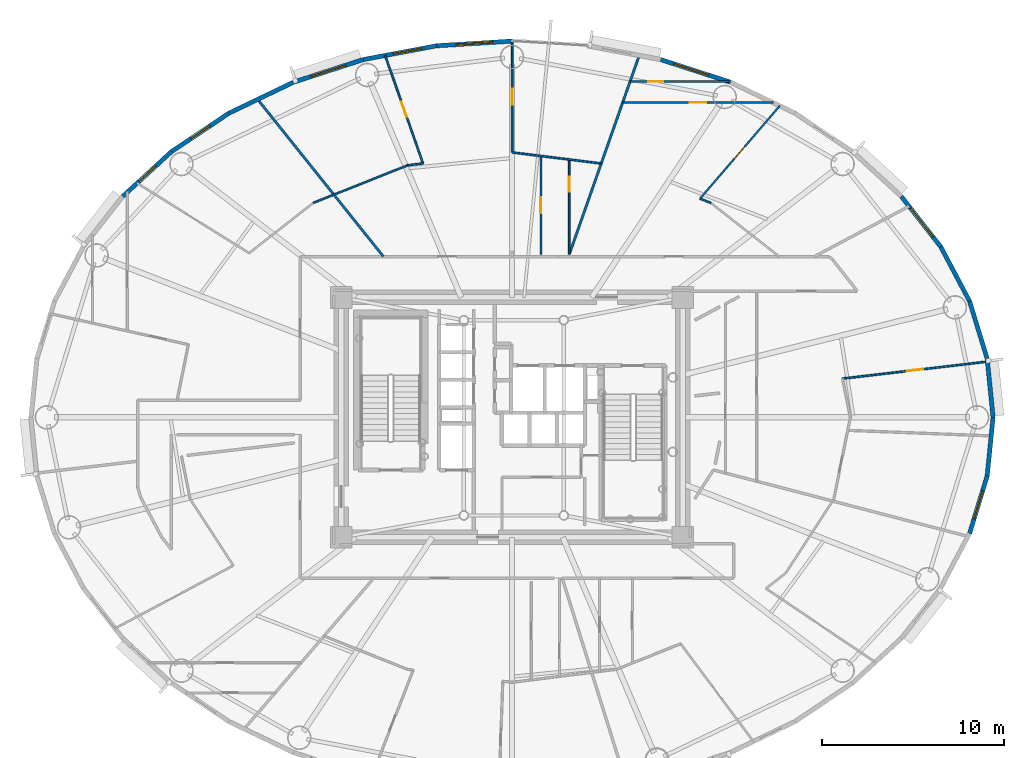
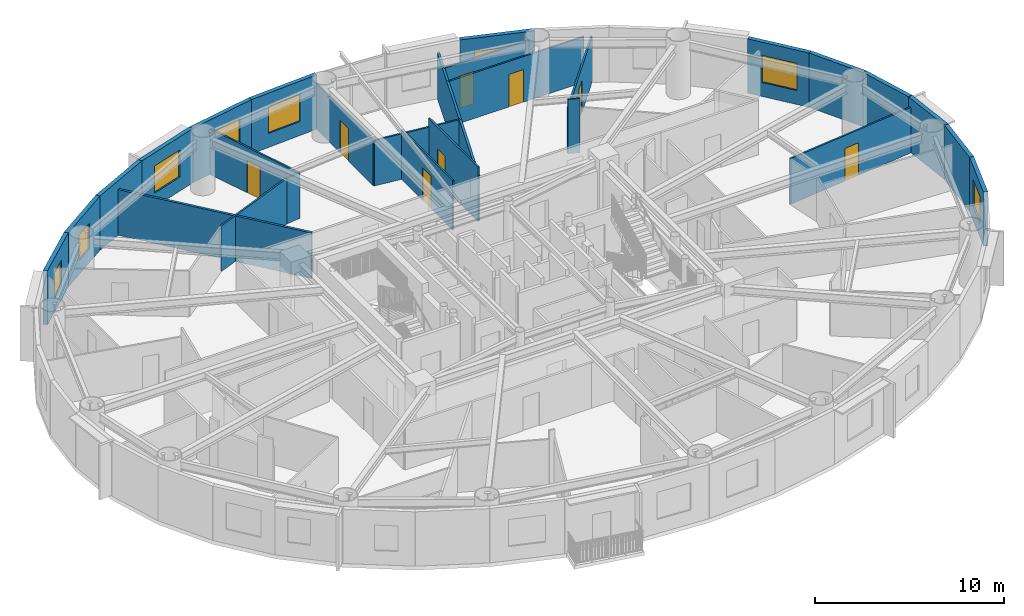
# One storey, part 10 of 17: 27 walls, 8 doors, 8 windows, 16 openings.
"""IFC4 building model written with IfcOpenShell, lengths in metres."""

from ifc_helpers import new_model, si_unit, direction, frame, frame_2d, origin, origin_2d, place, context, subcontext, project, spatial, rectangle, extrude, source, transform, mapped, material, layer, layer_set, type_object, element, fill, save


model = new_model("IFC4")

# Units and contexts
model_context = context("Model", 3, precision=1e-05, world=origin(), true_north=direction((0.0, 1.0)))
body_context = subcontext(model_context, "Body", "Model", "MODEL_VIEW")
ifc_project = project(units=[si_unit("LENGTHUNIT", "METRE"), si_unit("AREAUNIT", "SQUARE_METRE"), si_unit("VOLUMEUNIT", "CUBIC_METRE"), si_unit("PLANEANGLEUNIT", "RADIAN"), si_unit("MASSUNIT", "GRAM", prefix="KILO")], contexts=[model_context])

# Site, building, storey
site_placement = place(None, origin())
site = spatial("IfcSite", under=ifc_project, at=site_placement, CompositionType="ELEMENT")
building_placement = place(site_placement, origin())
building = spatial("IfcBuilding", under=site, at=building_placement, Name="Linh Dai School and Residence Tower", CompositionType="ELEMENT")
storey_placement = place(building_placement, frame((0.0, 0.0, 182.39990234375)))
storey = spatial("IfcBuildingStorey", under=building, at=storey_placement, Name="L44", CompositionType="ELEMENT", Elevation=182.39990234375)

# Walls
ifc_material_1 = material(Name="Precast Concrete B45 (C35/45)", Category="concrete")
ifc_layer_1 = layer(ifc_material_1, 0.239990234375)
ifc_layer_set_1 = layer_set([ifc_layer_1], Name="Precast Concrete B45 (C35/45)")
wall_type_1 = type_object("IfcWallType", Name="EW-TC-240", PredefinedType="SOLIDWALL", material=ifc_layer_set_1)
wall_1_placement = place(storey_placement, frame((62.14990234375, 30.233642578125, 0.0), z_axis=(0.0, 0.0, 1.0), x_axis=(0.100061534614, -0.994981250723, 0.0)))
element("IfcWall", 1, at=wall_1_placement, inside=storey, type_object=wall_type_1, Name="L44 Terracotta Exterior Wall 01", PredefinedType="SOLIDWALL", context=body_context, shape_type="SweptSolid", body=[
    extrude(rectangle(XDim=3.25, YDim=0.239990234375, at=frame_2d((1.625, 0.0))), origin(), (0.0, 0.0, 1.0), 3.5),
])
wall_2_placement = place(storey_placement, frame((61.1826171875, 33.388916015625, 0.0), z_axis=(0.0, 0.0, 1.0), x_axis=(0.293097995113, -0.956082405058, 0.0)))
element("IfcWall", 2, at=wall_2_placement, inside=storey, type_object=wall_type_1, Name="L44 Terracotta Exterior Wall 02", PredefinedType="SOLIDWALL", context=body_context, shape_type="SweptSolid", body=[
    extrude(rectangle(XDim=3.30029296875, YDim=0.239990234375, at=frame_2d((1.650146484375, 0.0))), origin(), (0.0, 0.0, 1.0), 3.5),
])
wall_3_placement = place(storey_placement, frame((59.595947265625, 36.388427734375, 0.0), z_axis=(0.0, 0.0, 1.0), x_axis=(0.467586874938, -0.88394712194, 0.0)))
element("IfcWall", 3, at=wall_3_placement, inside=storey, type_object=wall_type_1, Name="L44 Terracotta Exterior Wall 03", PredefinedType="SOLIDWALL", context=body_context, shape_type="SweptSolid", body=[
    extrude(rectangle(XDim=3.393310546875, YDim=0.239990234375, at=frame_2d((1.69677734375, 0.0))), origin(), (0.0, 0.0, 1.0), 3.5),
])

# Wall, opening, window
wall_4_placement = place(storey_placement, frame((57.42822265625, 39.158447265625, 0.0), z_axis=(0.0, 0.0, 1.0), x_axis=(0.616287674549, -0.787521112224, 0.0)))
wall_4 = element("IfcWall", 4, at=wall_4_placement, inside=storey, type_object=wall_type_1, Name="L44 Terracotta Exterior Wall 04", PredefinedType="SOLIDWALL", context=body_context, shape_type="SweptSolid", body=[
    extrude(rectangle(XDim=3.517333984375, YDim=0.239990234375, at=frame_2d((1.7587890625, 0.0))), origin(), (0.0, 0.0, 1.0), 3.5),
])
opening_1_placement = place(wall_4_placement, frame((0.818603515625, 0.0, 0.89990234375)))
opening_1 = element("IfcOpeningElement", 5, at=opening_1_placement, cuts=wall_4, Name="Opening W1", PredefinedType="OPENING", context=body_context, shape_type="SweptSolid", body=[
    extrude(rectangle(XDim=2.0, YDim=1.75, at=origin_2d()), frame((1.0, 0.1298828125, 0.875), z_axis=(0.0, -1.0, 0.0), x_axis=(1.0, 0.0, 0.0)), (0.0, 0.0, 1.0), 0.260009765625),
])
ifc_material_2 = material(Name="Double Low-E Insulated Glazing", Category="glass")
window_type_1 = type_object("IfcWindowType", Name="WN-RES-2000x1750", PartitioningType="DOUBLE_PANEL_VERTICAL", PredefinedType="WINDOW", material=ifc_material_2)
shared_shape_1 = source(origin(), body_context, "Body", "SweptSolid", [
    extrude(rectangle(XDim=2.0, YDim=1.75, at=origin_2d()), frame((1.0, 0.030029296875, 0.875), z_axis=(0.0, -1.0, 0.0), x_axis=(1.0, 0.0, 0.0)), (0.0, 0.0, 1.0), 0.06005859375),
])
window_1_placement = place(opening_1_placement, origin())
window_1 = element("IfcWindow", 6, at=window_1_placement, inside=storey, type_object=window_type_1, Name="L44 Exterior Window 04.1", OverallHeight=1.75, OverallWidth=2.0, PartitioningType="DOUBLE_PANEL_VERTICAL", PredefinedType="WINDOW", context=body_context, shape_type="MappedRepresentation", body=[
    mapped(shared_shape_1, transform((0.0, 0.0, 0.0), x_axis=(1.0, 0.0, 0.0), y_axis=(0.0, 1.0, 0.0), z_axis=(0.0, 0.0, 1.0), scale=1.0)),
])
fill(opening_1, window_1)

wall_5_placement = place(storey_placement, frame((44.18896484375, 46.689453125, 0.0), z_axis=(0.0, 0.0, 1.0), x_axis=(0.951209870236, -0.30854462038, 0.0)))
wall_5 = element("IfcWall", 7, at=wall_5_placement, inside=storey, type_object=wall_type_1, Name="L44 Terracotta Exterior Wall 08", PredefinedType="SOLIDWALL", context=body_context, shape_type="SweptSolid", body=[
    extrude(rectangle(XDim=4.037841796875, YDim=0.239990234375, at=frame_2d((2.01904296875, 0.0))), origin(), (0.0, 0.0, 1.0), 3.5),
])
opening_2_placement = place(wall_5_placement, frame((0.7529296875, 0.0, 0.89990234375)))
opening_2 = element("IfcOpeningElement", 8, at=opening_2_placement, cuts=wall_5, Name="Opening W1", PredefinedType="OPENING", context=body_context, shape_type="SweptSolid", body=[
    extrude(rectangle(XDim=2.0, YDim=1.75, at=origin_2d()), frame((1.0, 0.1298828125, 0.875), z_axis=(0.0, -1.0, 0.0), x_axis=(1.0, 0.0, 0.0)), (0.0, 0.0, 1.0), 0.260009765625),
])
window_2_placement = place(opening_2_placement, origin())
window_2 = element("IfcWindow", 9, at=window_2_placement, inside=storey, type_object=window_type_1, Name="L44 Exterior Window 08.1", OverallHeight=1.75, OverallWidth=2.0, PartitioningType="DOUBLE_PANEL_VERTICAL", PredefinedType="WINDOW", context=body_context, shape_type="MappedRepresentation", body=[
    mapped(shared_shape_1, transform((0.0, 0.0, 0.0), x_axis=(1.0, 0.0, 0.0), y_axis=(0.0, 1.0, 0.0), z_axis=(0.0, 0.0, 1.0), scale=1.0)),
])
fill(opening_2, window_2)

wall_6_placement = place(storey_placement, frame((31.854248046875, 47.449462890625, 0.0), z_axis=(0.0, 0.0, 1.0), x_axis=(0.998104600619, 0.061540281305, 0.0)))
wall_6 = element("IfcWall", 10, at=wall_6_placement, inside=storey, type_object=wall_type_1, Name="L44 Terracotta Exterior Wall 11", PredefinedType="SOLIDWALL", context=body_context, shape_type="SweptSolid", body=[
    extrude(rectangle(XDim=4.153564453125, YDim=0.239990234375, at=frame_2d((2.07666015625, 0.0))), origin(), (0.0, 0.0, 1.0), 3.5),
])
opening_3_placement = place(wall_6_placement, frame((1.08154296875, 0.0, 0.89990234375)))
opening_3 = element("IfcOpeningElement", 11, at=opening_3_placement, cuts=wall_6, Name="Opening W1", PredefinedType="OPENING", context=body_context, shape_type="SweptSolid", body=[
    extrude(rectangle(XDim=2.0, YDim=1.75, at=origin_2d()), frame((1.0, 0.1298828125, 0.875), z_axis=(0.0, -1.0, 0.0), x_axis=(1.0, 0.0, 0.0)), (0.0, 0.0, 1.0), 0.260009765625),
])
window_3_placement = place(opening_3_placement, origin())
window_3 = element("IfcWindow", 12, at=window_3_placement, inside=storey, type_object=window_type_1, Name="L44 Exterior Window 11.1", OverallHeight=1.75, OverallWidth=2.0, PartitioningType="DOUBLE_PANEL_VERTICAL", PredefinedType="WINDOW", context=body_context, shape_type="MappedRepresentation", body=[
    mapped(shared_shape_1, transform((0.0, 0.0, 0.0), x_axis=(1.0, 0.0, 0.0), y_axis=(0.0, 1.0, 0.0), z_axis=(0.0, 0.0, 1.0), scale=1.0)),
])
fill(opening_3, window_3)

wall_7_placement = place(storey_placement, frame((27.81103515625, 46.689453125, 0.0), z_axis=(0.0, 0.0, 1.0), x_axis=(0.982788108205, 0.184736391573, 0.0)))
wall_7 = element("IfcWall", 13, at=wall_7_placement, inside=storey, type_object=wall_type_1, Name="L44 Terracotta Exterior Wall 12", PredefinedType="SOLIDWALL", context=body_context, shape_type="SweptSolid", body=[
    extrude(rectangle(XDim=4.114013671875, YDim=0.239990234375, at=frame_2d((2.05712890625, 0.0))), origin(), (0.0, 0.0, 1.0), 3.5),
])
opening_4_placement = place(wall_7_placement, frame((1.687255859375, 0.0, 0.89990234375)))
opening_4 = element("IfcOpeningElement", 14, at=opening_4_placement, cuts=wall_7, Name="Opening W2", PredefinedType="OPENING", context=body_context, shape_type="SweptSolid", body=[
    extrude(rectangle(XDim=1.60009765625, YDim=1.75, at=origin_2d()), frame((0.800048828125, 0.1298828125, 0.875), z_axis=(0.0, -1.0, 0.0), x_axis=(1.0, 0.0, 0.0)), (0.0, 0.0, 1.0), 0.260009765625),
])
window_type_2 = type_object("IfcWindowType", Name="WN-RES-1600x1750", PartitioningType="DOUBLE_PANEL_VERTICAL", PredefinedType="WINDOW", material=ifc_material_2)
shared_shape_2 = source(origin(), body_context, "Body", "SweptSolid", [
    extrude(rectangle(XDim=1.60009765625, YDim=1.75, at=origin_2d()), frame((0.800048828125, 0.030029296875, 0.875), z_axis=(0.0, -1.0, 0.0), x_axis=(1.0, 0.0, 0.0)), (0.0, 0.0, 1.0), 0.06005859375),
])
window_4_placement = place(opening_4_placement, origin())
window_4 = element("IfcWindow", 15, at=window_4_placement, inside=storey, type_object=window_type_2, Name="L44 Exterior Window 12.1", OverallHeight=1.75, OverallWidth=1.60009765625, PartitioningType="DOUBLE_PANEL_VERTICAL", PredefinedType="WINDOW", context=body_context, shape_type="MappedRepresentation", body=[
    mapped(shared_shape_2, transform((0.0, 0.0, 0.0), x_axis=(1.0, 0.0, 0.0), y_axis=(0.0, 1.0, 0.0), z_axis=(0.0, 0.0, 1.0), scale=1.0)),
])
fill(opening_4, window_4)

wall_8_placement = place(storey_placement, frame((23.97021484375, 45.443603515625, 0.0), z_axis=(0.0, 0.0, 1.0), x_axis=(0.951209870236, 0.30854462038, 0.0)))
wall_8 = element("IfcWall", 16, at=wall_8_placement, inside=storey, type_object=wall_type_1, Name="L44 Terracotta Exterior Wall 13", PredefinedType="SOLIDWALL", context=body_context, shape_type="SweptSolid", body=[
    extrude(rectangle(XDim=4.037841796875, YDim=0.239990234375, at=frame_2d((2.01904296875, 0.0))), origin(), (0.0, 0.0, 1.0), 3.5),
])
opening_5_placement = place(wall_8_placement, frame((1.01904296875, 0.0, 0.89990234375)))
opening_5 = element("IfcOpeningElement", 17, at=opening_5_placement, cuts=wall_8, Name="Opening W1", PredefinedType="OPENING", context=body_context, shape_type="SweptSolid", body=[
    extrude(rectangle(XDim=2.0, YDim=1.75, at=origin_2d()), frame((1.0, 0.1298828125, 0.875), z_axis=(0.0, -1.0, 0.0), x_axis=(1.0, 0.0, 0.0)), (0.0, 0.0, 1.0), 0.260009765625),
])
window_5_placement = place(opening_5_placement, origin())
window_5 = element("IfcWindow", 18, at=window_5_placement, inside=storey, type_object=window_type_1, Name="L44 Exterior Window 13.1", OverallHeight=1.75, OverallWidth=2.0, PartitioningType="DOUBLE_PANEL_VERTICAL", PredefinedType="WINDOW", context=body_context, shape_type="MappedRepresentation", body=[
    mapped(shared_shape_1, transform((0.0, 0.0, 0.0), x_axis=(1.0, 0.0, 0.0), y_axis=(0.0, 1.0, 0.0), z_axis=(0.0, 0.0, 1.0), scale=1.0)),
])
fill(opening_5, window_5)

# Wall
wall_9_placement = place(storey_placement, frame((20.4267578125, 43.7431640625, 0.0), z_axis=(0.0, 0.0, 1.0), x_axis=(0.901564733809, 0.432644231155, 0.0)))
element("IfcWall", 19, at=wall_9_placement, inside=storey, type_object=wall_type_1, Name="L44 Terracotta Exterior Wall 14", PredefinedType="SOLIDWALL", context=body_context, shape_type="SweptSolid", body=[
    extrude(rectangle(XDim=3.930419921875, YDim=0.239990234375, at=frame_2d((1.96533203125, 0.0))), origin(), (0.0, 0.0, 1.0), 3.5),
])

# Wall, opening, window
wall_10_placement = place(storey_placement, frame((17.26806640625, 41.630615234375, 0.0), z_axis=(0.0, 0.0, 1.0), x_axis=(0.831228998277, 0.555930168657, 0.0)))
wall_10 = element("IfcWall", 20, at=wall_10_placement, inside=storey, type_object=wall_type_1, Name="L44 Terracotta Exterior Wall 15", PredefinedType="SOLIDWALL", context=body_context, shape_type="SweptSolid", body=[
    extrude(rectangle(XDim=3.800048828125, YDim=0.239990234375, at=frame_2d((1.89990234375, 0.0))), origin(), (0.0, 0.0, 1.0), 3.5),
])
opening_6_placement = place(wall_10_placement, frame((1.27490234375, 0.0, 0.89990234375)))
opening_6 = element("IfcOpeningElement", 21, at=opening_6_placement, cuts=wall_10, Name="Opening W3", PredefinedType="OPENING", context=body_context, shape_type="SweptSolid", body=[
    extrude(rectangle(XDim=1.25, YDim=1.64990234375, at=origin_2d()), frame((0.625, 0.1298828125, 0.824951171875), z_axis=(0.0, -1.0, 0.0), x_axis=(1.0, 0.0, 0.0)), (0.0, 0.0, 1.0), 0.260009765625),
])
window_type_3 = type_object("IfcWindowType", Name="WN-RES-1250x1650", PartitioningType="SINGLE_PANEL", PredefinedType="WINDOW", material=ifc_material_2)
shared_shape_3 = source(origin(), body_context, "Body", "SweptSolid", [
    extrude(rectangle(XDim=1.25, YDim=1.64990234375, at=origin_2d()), frame((0.625, 0.030029296875, 0.824951171875), z_axis=(0.0, -1.0, 0.0), x_axis=(1.0, 0.0, 0.0)), (0.0, 0.0, 1.0), 0.06005859375),
])
window_6_placement = place(opening_6_placement, origin())
window_6 = element("IfcWindow", 22, at=window_6_placement, inside=storey, type_object=window_type_3, Name="L44 Dwelling Window U4403-BD1", OverallHeight=1.64990234375, OverallWidth=1.25, PartitioningType="SINGLE_PANEL", PredefinedType="WINDOW", context=body_context, shape_type="MappedRepresentation", body=[
    mapped(shared_shape_3, transform((0.0, 0.0, 0.0), x_axis=(1.0, 0.0, 0.0), y_axis=(0.0, 1.0, 0.0), z_axis=(0.0, 0.0, 1.0), scale=1.0)),
])
fill(opening_6, window_6)

wall_11_placement = place(storey_placement, frame((14.57177734375, 39.158447265625, 0.0), z_axis=(0.0, 0.0, 1.0), x_axis=(0.737076565834, 0.675809245349, 0.0)))
wall_11 = element("IfcWall", 23, at=wall_11_placement, inside=storey, type_object=wall_type_1, Name="L44 Terracotta Exterior Wall 16", PredefinedType="SOLIDWALL", context=body_context, shape_type="SweptSolid", body=[
    extrude(rectangle(XDim=3.658203125, YDim=0.239990234375, at=frame_2d((1.8291015625, 0.0))), origin(), (0.0, 0.0, 1.0), 3.5),
])
opening_7_placement = place(wall_11_placement, frame((1.22412109375, 0.0, 0.89990234375)))
opening_7 = element("IfcOpeningElement", 24, at=opening_7_placement, cuts=wall_11, Name="Opening W3", PredefinedType="OPENING", context=body_context, shape_type="SweptSolid", body=[
    extrude(rectangle(XDim=1.25, YDim=1.64990234375, at=origin_2d()), frame((0.625, 0.1298828125, 0.824951171875), z_axis=(0.0, -1.0, 0.0), x_axis=(1.0, 0.0, 0.0)), (0.0, 0.0, 1.0), 0.260009765625),
])
window_7_placement = place(opening_7_placement, origin())
window_7 = element("IfcWindow", 25, at=window_7_placement, inside=storey, type_object=window_type_3, Name="L44 Dwelling Window U4403-LIV", OverallHeight=1.64990234375, OverallWidth=1.25, PartitioningType="SINGLE_PANEL", PredefinedType="WINDOW", context=body_context, shape_type="MappedRepresentation", body=[
    mapped(shared_shape_3, transform((0.0, 0.0, 0.0), x_axis=(1.0, 0.0, 0.0), y_axis=(0.0, 1.0, 0.0), z_axis=(0.0, 0.0, 1.0), scale=1.0)),
])
fill(opening_7, window_7)

wall_12_placement = place(storey_placement, frame((62.14990234375, 23.766357421875, 0.0), z_axis=(0.0, 0.0, 1.0), x_axis=(-0.293097995113, -0.956082405058, 0.0)))
wall_12 = element("IfcWall", 26, at=wall_12_placement, inside=storey, type_object=wall_type_1, Name="L44 Terracotta Exterior Wall 39", PredefinedType="SOLIDWALL", context=body_context, shape_type="SweptSolid", body=[
    extrude(rectangle(XDim=3.30029296875, YDim=0.239990234375, at=frame_2d((1.650146484375, 0.0))), origin(), (0.0, 0.0, 1.0), 3.5),
])
opening_8_placement = place(wall_12_placement, frame((0.85009765625, 0.0, 0.89990234375)))
opening_8 = element("IfcOpeningElement", 27, at=opening_8_placement, cuts=wall_12, Name="Opening W2", PredefinedType="OPENING", context=body_context, shape_type="SweptSolid", body=[
    extrude(rectangle(XDim=1.60009765625, YDim=1.75, at=origin_2d()), frame((0.800048828125, 0.1298828125, 0.875), z_axis=(0.0, -1.0, 0.0), x_axis=(1.0, 0.0, 0.0)), (0.0, 0.0, 1.0), 0.260009765625),
])
window_8_placement = place(opening_8_placement, origin())
window_8 = element("IfcWindow", 28, at=window_8_placement, inside=storey, type_object=window_type_2, Name="L44 Exterior Window 39.1", OverallHeight=1.75, OverallWidth=1.60009765625, PartitioningType="DOUBLE_PANEL_VERTICAL", PredefinedType="WINDOW", context=body_context, shape_type="MappedRepresentation", body=[
    mapped(shared_shape_2, transform((0.0, 0.0, 0.0), x_axis=(1.0, 0.0, 0.0), y_axis=(0.0, 1.0, 0.0), z_axis=(0.0, 0.0, 1.0), scale=1.0)),
])
fill(opening_8, window_8)

# Walls
wall_13_placement = place(storey_placement, frame((62.47509765625, 27.0, 0.0), z_axis=(0.0, 0.0, 1.0), x_axis=(-0.100061534614, -0.994981250723, 0.0)))
element("IfcWall", 29, at=wall_13_placement, inside=storey, type_object=wall_type_1, Name="L44 Terracotta Exterior Wall 40", PredefinedType="SOLIDWALL", context=body_context, shape_type="SweptSolid", body=[
    extrude(rectangle(XDim=3.25, YDim=0.239990234375, at=frame_2d((1.625, 0.0))), origin(), (0.0, 0.0, 1.0), 3.5),
])
ifc_material_3 = material(Name="Autoclaved Aerated Concrete Blockwork", Category="masonry")
ifc_layer_2 = layer(ifc_material_3, 0.135009765625)
ifc_layer_set_2 = layer_set([ifc_layer_2], Name="Autoclaved Aerated Concrete Blockwork")
wall_type_2 = type_object("IfcWallType", Name="IW-CORR-135-EI90", PredefinedType="PARTITIONING", material=ifc_layer_set_2)
wall_14_placement = place(storey_placement, frame((21.99853515625, 44.5029296875, 0.0), z_axis=(0.0, 0.0, 1.0), x_axis=(0.624673551917, -0.780886005468, 0.0)))
element("IfcWall", 30, at=wall_14_placement, inside=storey, type_object=wall_type_2, Name="L44 Interior Partition Wall 020", PredefinedType="PARTITIONING", context=body_context, shape_type="SweptSolid", body=[
    extrude(rectangle(XDim=11.080810546875, YDim=0.135009765625, at=frame_2d((5.54052734375, 0.0))), origin(), (0.0, 0.0, 1.0), 2.93505859375),
])
wall_15_placement = place(storey_placement, frame((39.154052734375, 35.97216796875, 0.0), z_axis=(0.0, 0.0, 1.0), x_axis=(0.331639887377, 0.94340605526, 0.0)))
element("IfcWall", 31, at=wall_15_placement, inside=storey, type_object=wall_type_2, Name="L44 Interior Partition Wall 067", PredefinedType="PARTITIONING", context=body_context, shape_type="SweptSolid", body=[
    extrude(rectangle(XDim=11.601806640625, YDim=0.135009765625, at=frame_2d((5.80078125, 0.0))), origin(), (0.0, 0.0, 1.0), 2.93505859375),
])
ifc_material_4 = material(Name="Gypsum Plasterboard Acoustic Stud Partition", Category="masonry")
ifc_layer_3 = layer(ifc_material_4, 0.10009765625)
ifc_layer_set_3 = layer_set([ifc_layer_3], Name="Gypsum Plasterboard Acoustic Stud Partition")
wall_type_3 = type_object("IfcWallType", Name="IW-UNIT-100", PredefinedType="PARTITIONING", material=ifc_layer_set_3)
wall_16_placement = place(storey_placement, frame((25.055419921875, 38.79638671875, 0.0), z_axis=(0.0, 0.0, 1.0), x_axis=(0.928798710424, 0.370584613166, 0.0)))
element("IfcWall", 32, at=wall_16_placement, inside=storey, type_object=wall_type_3, Name="L44 Interior Partition Wall 025", PredefinedType="PARTITIONING", context=body_context, shape_type="SweptSolid", body=[
    extrude(rectangle(XDim=5.588623046875, YDim=0.10009765625, at=frame_2d((2.79443359375, 0.0))), origin(), (0.0, 0.0, 1.0), 2.93505859375),
])

# Wall, opening, door
wall_17_placement = place(storey_placement, frame((29.017578125, 46.92138671875, 0.0), z_axis=(0.0, 0.0, 1.0), x_axis=(0.330774858624, -0.943709697366, 0.0)))
wall_17 = element("IfcWall", 33, at=wall_17_placement, inside=storey, type_object=wall_type_3, Name="L44 Interior Partition Wall 029", PredefinedType="PARTITIONING", context=body_context, shape_type="SweptSolid", body=[
    extrude(rectangle(XDim=6.302490234375, YDim=0.10009765625, at=frame_2d((3.1513671875, 0.0))), origin(), (0.0, 0.0, 1.0), 2.93505859375),
])
opening_9_placement = place(wall_17_placement, frame((2.701171875, 0.0, 0.0)))
opening_9 = element("IfcOpeningElement", 34, at=opening_9_placement, cuts=wall_17, Name="Opening D05", PredefinedType="OPENING", context=body_context, shape_type="SweptSolid", body=[
    extrude(rectangle(XDim=0.89990234375, YDim=2.10009765625, at=origin_2d()), frame((0.449951171875, 0.06005859375, 1.050048828125), z_axis=(0.0, -1.0, 0.0), x_axis=(1.0, 0.0, 0.0)), (0.0, 0.0, 1.0), 0.1201171875),
])
ifc_material_5 = material(Name="Engineered Timber Internal Door", Category="wood")
door_type_1 = type_object("IfcDoorType", Name="DR-INT-900x2100", OperationType="NOTDEFINED", PredefinedType="DOOR", material=ifc_material_5)
shared_shape_4 = source(origin(), body_context, "Body", "SweptSolid", [
    extrude(rectangle(XDim=0.89990234375, YDim=2.10009765625, at=origin_2d()), frame((0.449951171875, 0.02490234375, 1.050048828125), z_axis=(0.0, -1.0, 0.0), x_axis=(1.0, 0.0, 0.0)), (0.0, 0.0, 1.0), 0.050048828125),
])
door_1_placement = place(opening_9_placement, origin())
door_1 = element("IfcDoor", 35, at=door_1_placement, inside=storey, type_object=door_type_1, Name="L44 Apartment U4402 Principal Bedroom 2 Door", OperationType="SINGLE_SWING_RIGHT", OverallHeight=2.10009765625, OverallWidth=0.89990234375, PredefinedType="DOOR", context=body_context, shape_type="MappedRepresentation", body=[
    mapped(shared_shape_4, transform((0.0, 0.0, 0.0), x_axis=(1.0, 0.0, 0.0), y_axis=(0.0, 1.0, 0.0), z_axis=(0.0, 0.0, 1.0), scale=1.0)),
])
fill(opening_9, door_1)

# Wall
wall_18_placement = place(storey_placement, frame((30.24609375, 40.867431640625, 0.0), z_axis=(0.0, 0.0, 1.0), x_axis=(0.992394974801, 0.123094329637, 0.0)))
element("IfcWall", 36, at=wall_18_placement, inside=storey, type_object=wall_type_3, Name="L44 Interior Partition Wall 031", PredefinedType="PARTITIONING", context=body_context, shape_type="SweptSolid", body=[
    extrude(rectangle(XDim=0.86279296875, YDim=0.10009765625, at=frame_2d((0.431396484375, 0.0))), origin(), (0.0, 0.0, 1.0), 2.93505859375),
])

# Wall, opening, door
wall_19_placement = place(storey_placement, frame((36.006591796875, 41.580078125, 0.0), z_axis=(0.0, 0.0, 1.0), x_axis=(0.000477973338, 0.999999885771, 0.0)))
wall_19 = element("IfcWall", 37, at=wall_19_placement, inside=storey, type_object=wall_type_3, Name="L44 Interior Partition Wall 055", PredefinedType="PARTITIONING", context=body_context, shape_type="SweptSolid", body=[
    extrude(rectangle(XDim=6.12939453125, YDim=0.10009765625, at=frame_2d((3.064697265625, 0.0))), origin(), (0.0, 0.0, 1.0), 2.93505859375),
])
opening_10_placement = place(wall_19_placement, frame((2.614501953125, 0.0, 0.0)))
opening_10 = element("IfcOpeningElement", 38, at=opening_10_placement, cuts=wall_19, Name="Opening D05", PredefinedType="OPENING", context=body_context, shape_type="SweptSolid", body=[
    extrude(rectangle(XDim=0.89990234375, YDim=2.10009765625, at=origin_2d()), frame((0.449951171875, 0.06005859375, 1.050048828125), z_axis=(0.0, -1.0, 0.0), x_axis=(1.0, 0.0, 0.0)), (0.0, 0.0, 1.0), 0.1201171875),
])
door_2_placement = place(opening_10_placement, origin())
door_2 = element("IfcDoor", 39, at=door_2_placement, inside=storey, type_object=door_type_1, Name="L44 Apartment U4402 Bedroom 1 Door", OperationType="SINGLE_SWING_LEFT", OverallHeight=2.10009765625, OverallWidth=0.89990234375, PredefinedType="DOOR", context=body_context, shape_type="MappedRepresentation", body=[
    mapped(shared_shape_4, transform((0.0, 0.0, 0.0), x_axis=(1.0, 0.0, 0.0), y_axis=(0.0, 1.0, 0.0), z_axis=(0.0, 0.0, 1.0), scale=1.0)),
])
fill(opening_10, door_2)

# Wall
wall_20_placement = place(storey_placement, frame((36.006591796875, 41.580078125, 0.0), z_axis=(0.0, 0.0, 1.0), x_axis=(0.992395965764, -0.123086340169, 0.0)))
element("IfcWall", 40, at=wall_20_placement, inside=storey, type_object=wall_type_3, Name="L44 Interior Partition Wall 056", PredefinedType="PARTITIONING", context=body_context, shape_type="SweptSolid", body=[
    extrude(rectangle(XDim=4.94287109375, YDim=0.10009765625, at=frame_2d((2.471435546875, 0.0))), origin(), (0.0, 0.0, 1.0), 2.93505859375),
])

# Wall, opening, door
wall_21_placement = place(storey_placement, frame((37.59228515625, 35.9677734375, 0.0), z_axis=(0.0, 0.0, 1.0), x_axis=(0.0, 1.0, 0.0)))
wall_21 = element("IfcWall", 41, at=wall_21_placement, inside=storey, type_object=wall_type_3, Name="L44 Interior Partition Wall 059", PredefinedType="PARTITIONING", context=body_context, shape_type="SweptSolid", body=[
    extrude(rectangle(XDim=5.415771484375, YDim=0.10009765625, at=frame_2d((2.7080078125, 0.0))), origin(), (0.0, 0.0, 1.0), 3.18505859375),
])
opening_11_placement = place(wall_21_placement, frame((2.2578125, 0.0, 0.0)))
opening_11 = element("IfcOpeningElement", 42, at=opening_11_placement, cuts=wall_21, Name="Opening D05", PredefinedType="OPENING", context=body_context, shape_type="SweptSolid", body=[
    extrude(rectangle(XDim=0.89990234375, YDim=2.10009765625, at=origin_2d()), frame((0.449951171875, 0.06005859375, 1.050048828125), z_axis=(0.0, -1.0, 0.0), x_axis=(1.0, 0.0, 0.0)), (0.0, 0.0, 1.0), 0.1201171875),
])
door_3_placement = place(opening_11_placement, origin())
door_3 = element("IfcDoor", 43, at=door_3_placement, inside=storey, type_object=door_type_1, Name="L44 Apartment U4402 Kitchen Door", OperationType="SINGLE_SWING_LEFT", OverallHeight=2.10009765625, OverallWidth=0.89990234375, PredefinedType="DOOR", context=body_context, shape_type="MappedRepresentation", body=[
    mapped(shared_shape_4, transform((0.0, 0.0, 0.0), x_axis=(1.0, 0.0, 0.0), y_axis=(0.0, 1.0, 0.0), z_axis=(0.0, 0.0, 1.0), scale=1.0)),
])
fill(opening_11, door_3)

wall_22_placement = place(storey_placement, frame((39.14599609375, 35.973388671875, 0.0), z_axis=(0.0, 0.0, 1.0), x_axis=(0.0, 1.0, 0.0)))
wall_22 = element("IfcWall", 44, at=wall_22_placement, inside=storey, type_object=wall_type_3, Name="L44 Interior Partition Wall 066", PredefinedType="PARTITIONING", context=body_context, shape_type="SweptSolid", body=[
    extrude(rectangle(XDim=5.217529296875, YDim=0.10009765625, at=frame_2d((2.60888671875, 0.0))), origin(), (0.0, 0.0, 1.0), 3.5),
])
opening_12_placement = place(wall_22_placement, frame((3.44580078125, 0.0, 0.0)))
opening_12 = element("IfcOpeningElement", 45, at=opening_12_placement, cuts=wall_22, Name="Opening D06", PredefinedType="OPENING", context=body_context, shape_type="SweptSolid", body=[
    extrude(rectangle(XDim=0.820068359375, YDim=2.10009765625, at=origin_2d()), frame((0.41015625, 0.06005859375, 1.050048828125), z_axis=(0.0, -1.0, 0.0), x_axis=(1.0, 0.0, 0.0)), (0.0, 0.0, 1.0), 0.1201171875),
])
ifc_material_6 = material(Name="Moisture-Resistant Timber Bathroom Door", Category="wood")
door_type_2 = type_object("IfcDoorType", Name="DR-WET-820x2100", OperationType="NOTDEFINED", PredefinedType="DOOR", material=ifc_material_6)
shared_shape_5 = source(origin(), body_context, "Body", "SweptSolid", [
    extrude(rectangle(XDim=0.820068359375, YDim=2.10009765625, at=origin_2d()), frame((0.41015625, 0.02490234375, 1.050048828125), z_axis=(0.0, -1.0, 0.0), x_axis=(1.0, 0.0, 0.0)), (0.0, 0.0, 1.0), 0.050048828125),
])
door_4_placement = place(opening_12_placement, origin())
door_4 = element("IfcDoor", 46, at=door_4_placement, inside=storey, type_object=door_type_2, Name="L44 Apartment U4402 Bathroom 1 Door", OperationType="SINGLE_SWING_RIGHT", OverallHeight=2.10009765625, OverallWidth=0.820068359375, PredefinedType="DOOR", context=body_context, shape_type="MappedRepresentation", body=[
    mapped(shared_shape_5, transform((0.0, 0.0, 0.0), x_axis=(1.0, 0.0, 0.0), y_axis=(0.0, 1.0, 0.0), z_axis=(0.0, 0.0, 1.0), scale=1.0)),
])
fill(opening_12, door_4)

wall_23_placement = place(storey_placement, frame((42.09033203125, 44.324951171875, 0.0), z_axis=(0.0, 0.0, 1.0), x_axis=(1.0, 0.0, 0.0)))
wall_23 = element("IfcWall", 47, at=wall_23_placement, inside=storey, type_object=wall_type_3, Name="L44 Interior Partition Wall 076", PredefinedType="PARTITIONING", context=body_context, shape_type="SweptSolid", body=[
    extrude(rectangle(XDim=8.2822265625, YDim=0.10009765625, at=frame_2d((4.14111328125, 0.0))), origin(), (0.0, 0.0, 1.0), 2.93505859375),
])
opening_13_placement = place(wall_23_placement, frame((3.691162109375, 0.0, 0.0)))
opening_13 = element("IfcOpeningElement", 48, at=opening_13_placement, cuts=wall_23, Name="Opening D05", PredefinedType="OPENING", context=body_context, shape_type="SweptSolid", body=[
    extrude(rectangle(XDim=0.89990234375, YDim=2.10009765625, at=origin_2d()), frame((0.449951171875, 0.06005859375, 1.050048828125), z_axis=(0.0, -1.0, 0.0), x_axis=(1.0, 0.0, 0.0)), (0.0, 0.0, 1.0), 0.1201171875),
])
door_5_placement = place(opening_13_placement, origin())
door_5 = element("IfcDoor", 49, at=door_5_placement, inside=storey, type_object=door_type_1, Name="L44 Apartment U4401 Kitchen Door", OperationType="SINGLE_SWING_RIGHT", OverallHeight=2.10009765625, OverallWidth=0.89990234375, PredefinedType="DOOR", context=body_context, shape_type="MappedRepresentation", body=[
    mapped(shared_shape_4, transform((0.0, 0.0, 0.0), x_axis=(1.0, 0.0, 0.0), y_axis=(0.0, 1.0, 0.0), z_axis=(0.0, 0.0, 1.0), scale=1.0)),
])
fill(opening_13, door_5)

wall_24_placement = place(storey_placement, frame((42.49658203125, 45.48046875, 0.0), z_axis=(0.0, 0.0, 1.0), x_axis=(1.0, 0.0, 0.0)))
wall_24 = element("IfcWall", 50, at=wall_24_placement, inside=storey, type_object=wall_type_3, Name="L44 Interior Partition Wall 077", PredefinedType="PARTITIONING", context=body_context, shape_type="SweptSolid", body=[
    extrude(rectangle(XDim=5.435302734375, YDim=0.10009765625, at=frame_2d((2.7177734375, 0.0))), origin(), (0.0, 0.0, 1.0), 2.93505859375),
])
opening_14_placement = place(wall_24_placement, frame((0.9951171875, 0.0, 0.0)))
opening_14 = element("IfcOpeningElement", 51, at=opening_14_placement, cuts=wall_24, Name="Opening D06", PredefinedType="OPENING", context=body_context, shape_type="SweptSolid", body=[
    extrude(rectangle(XDim=0.820068359375, YDim=2.10009765625, at=origin_2d()), frame((0.41015625, 0.06005859375, 1.050048828125), z_axis=(0.0, -1.0, 0.0), x_axis=(1.0, 0.0, 0.0)), (0.0, 0.0, 1.0), 0.1201171875),
])
door_6_placement = place(opening_14_placement, origin())
door_6 = element("IfcDoor", 52, at=door_6_placement, inside=storey, type_object=door_type_2, Name="L44 Apartment U4401 Bathroom 1 Door", OperationType="SINGLE_SWING_LEFT", OverallHeight=2.10009765625, OverallWidth=0.820068359375, PredefinedType="DOOR", context=body_context, shape_type="MappedRepresentation", body=[
    mapped(shared_shape_5, transform((0.0, 0.0, 0.0), x_axis=(1.0, 0.0, 0.0), y_axis=(0.0, 1.0, 0.0), z_axis=(0.0, 0.0, 1.0), scale=1.0)),
])
fill(opening_14, door_6)

# Wall
wall_25_placement = place(storey_placement, frame((46.345947265625, 39.03515625, 0.0), z_axis=(0.0, 0.0, 1.0), x_axis=(0.928841988182, -0.370476127423, 0.0)))
element("IfcWall", 53, at=wall_25_placement, inside=storey, type_object=wall_type_3, Name="L44 Interior Partition Wall 082", PredefinedType="PARTITIONING", context=body_context, shape_type="SweptSolid", body=[
    extrude(rectangle(XDim=0.64453125, YDim=0.10009765625, at=frame_2d((0.322265625, 0.0))), origin(), (0.0, 0.0, 1.0), 3.5),
])

# Wall, opening, door
wall_26_placement = place(storey_placement, frame((46.345947265625, 39.03515625, 0.0), z_axis=(0.0, 0.0, 1.0), x_axis=(0.651891052095, 0.758312637504, 0.0)))
wall_26 = element("IfcWall", 54, at=wall_26_placement, inside=storey, type_object=wall_type_3, Name="L44 Interior Partition Wall 083", PredefinedType="PARTITIONING", context=body_context, shape_type="SweptSolid", body=[
    extrude(rectangle(XDim=6.742431640625, YDim=0.10009765625, at=frame_2d((3.37109375, 0.0))), origin(), (0.0, 0.0, 1.0), 2.93505859375),
])
opening_15_placement = place(wall_26_placement, frame((2.921142578125, 0.0, 0.0)))
opening_15 = element("IfcOpeningElement", 55, at=opening_15_placement, cuts=wall_26, Name="Opening D05", PredefinedType="OPENING", context=body_context, shape_type="SweptSolid", body=[
    extrude(rectangle(XDim=0.89990234375, YDim=2.10009765625, at=origin_2d()), frame((0.449951171875, 0.06005859375, 1.050048828125), z_axis=(0.0, -1.0, 0.0), x_axis=(1.0, 0.0, 0.0)), (0.0, 0.0, 1.0), 0.1201171875),
])
door_7_placement = place(opening_15_placement, origin())
door_7 = element("IfcDoor", 56, at=door_7_placement, inside=storey, type_object=door_type_1, Name="L44 Apartment U4401 Principal Bedroom 1 Door", OperationType="SINGLE_SWING_LEFT", OverallHeight=2.10009765625, OverallWidth=0.89990234375, PredefinedType="DOOR", context=body_context, shape_type="MappedRepresentation", body=[
    mapped(shared_shape_4, transform((0.0, 0.0, 0.0), x_axis=(1.0, 0.0, 0.0), y_axis=(0.0, 1.0, 0.0), z_axis=(0.0, 0.0, 1.0), scale=1.0)),
])
fill(opening_15, door_7)

wall_27_placement = place(storey_placement, frame((54.18896484375, 29.131591796875, 0.0), z_axis=(0.0, 0.0, 1.0), x_axis=(0.993202342674, 0.116400629328, 0.0)))
wall_27 = element("IfcWall", 57, at=wall_27_placement, inside=storey, type_object=wall_type_3, Name="L44 Interior Partition Wall 098", PredefinedType="PARTITIONING", context=body_context, shape_type="SweptSolid", body=[
    extrude(rectangle(XDim=8.037353515625, YDim=0.10009765625, at=frame_2d((4.0185546875, 0.0))), origin(), (0.0, 0.0, 1.0), 2.93505859375),
])
opening_16_placement = place(wall_27_placement, frame((3.56884765625, 0.0, 0.0)))
opening_16 = element("IfcOpeningElement", 58, at=opening_16_placement, cuts=wall_27, Name="Opening D05", PredefinedType="OPENING", context=body_context, shape_type="SweptSolid", body=[
    extrude(rectangle(XDim=0.89990234375, YDim=2.10009765625, at=origin_2d()), frame((0.449951171875, 0.06005859375, 1.050048828125), z_axis=(0.0, -1.0, 0.0), x_axis=(1.0, 0.0, 0.0)), (0.0, 0.0, 1.0), 0.1201171875),
])
door_8_placement = place(opening_16_placement, origin())
door_8 = element("IfcDoor", 59, at=door_8_placement, inside=storey, type_object=door_type_1, Name="L44 Apartment U4407 Study Door", OperationType="SINGLE_SWING_RIGHT", OverallHeight=2.10009765625, OverallWidth=0.89990234375, PredefinedType="DOOR", context=body_context, shape_type="MappedRepresentation", body=[
    mapped(shared_shape_4, transform((0.0, 0.0, 0.0), x_axis=(1.0, 0.0, 0.0), y_axis=(0.0, 1.0, 0.0), z_axis=(0.0, 0.0, 1.0), scale=1.0)),
])
fill(opening_16, door_8)

save(model, "model.ifc")
